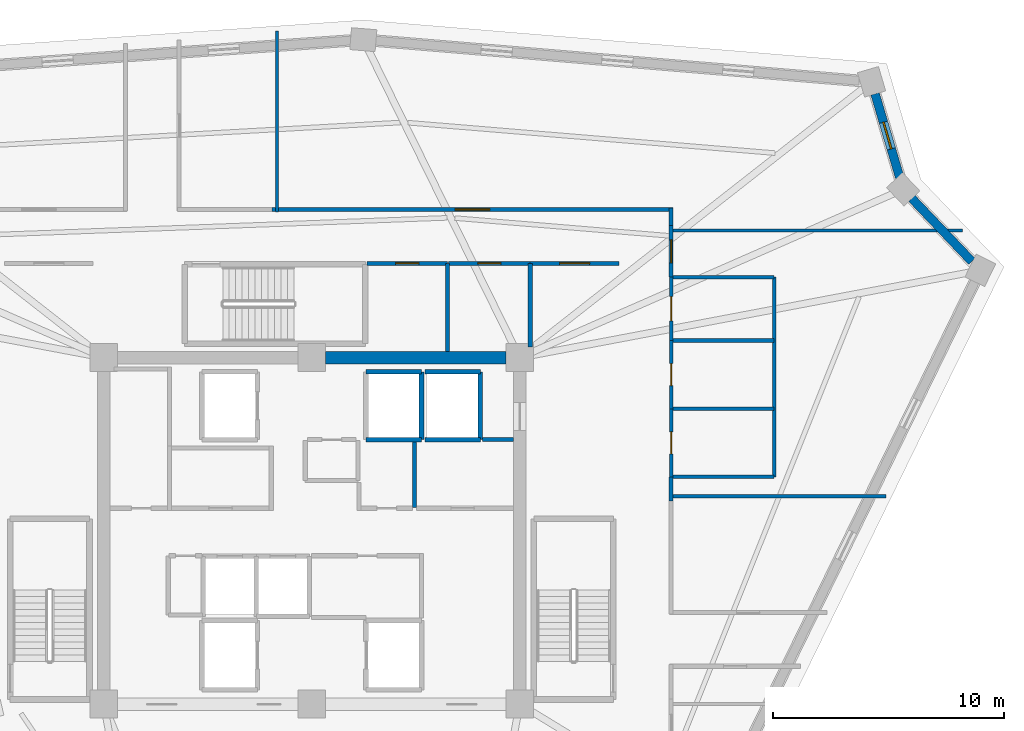
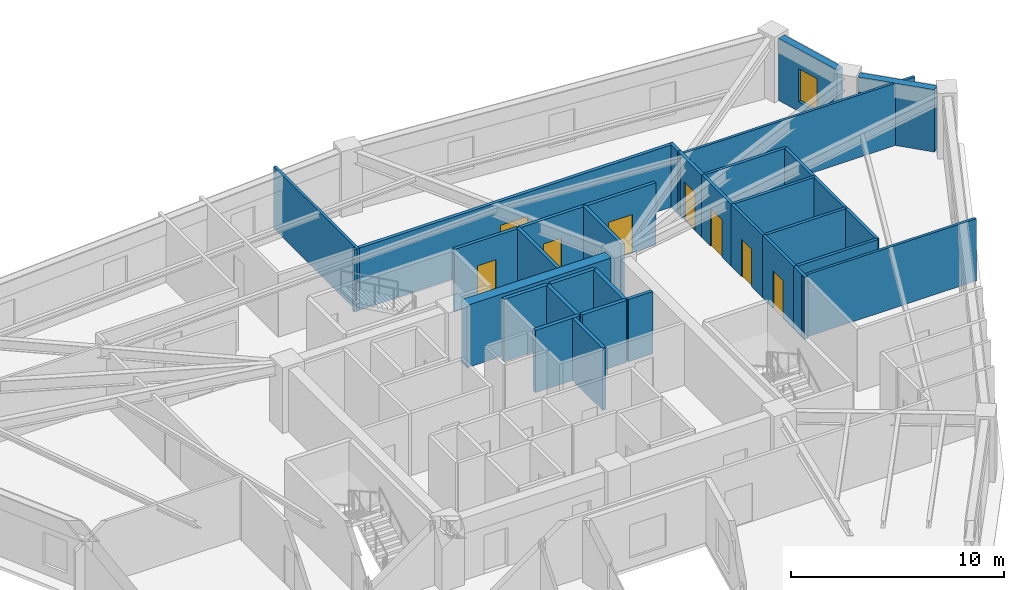
# One storey, part 6 of 8: 31 walls, 8 doors, 1 window, 9 openings.
"""IFC4 building model written with IfcOpenShell, lengths in metres."""

from ifc_helpers import new_model, si_unit, direction, frame, frame_2d, origin, place, context, subcontext, project, spatial, rectangle, extrude, source, transform, mapped, material, layer, layer_set, type_object, element, fill, save


model = new_model("IFC4")

# Units and contexts
model_context = context("Model", 3, precision=1e-05, world=origin(), true_north=direction((0.0, 1.0)))
body_context = subcontext(model_context, "Body", "Model", "MODEL_VIEW")
ifc_project = project(units=[si_unit("LENGTHUNIT", "METRE"), si_unit("AREAUNIT", "SQUARE_METRE"), si_unit("VOLUMEUNIT", "CUBIC_METRE"), si_unit("PLANEANGLEUNIT", "RADIAN"), si_unit("MASSUNIT", "GRAM", prefix="KILO")], contexts=[model_context])

# Site, building, storey
site_placement = place(None, origin())
site = spatial("IfcSite", under=ifc_project, at=site_placement, CompositionType="ELEMENT")
building_placement = place(site_placement, origin())
building = spatial("IfcBuilding", under=site, at=building_placement, Name="Liaohun Quay Tower", CompositionType="ELEMENT")
storey_placement = place(building_placement, frame((0.0, 0.0, 343.5)))
storey = spatial("IfcBuildingStorey", under=building, at=storey_placement, Name="L89", CompositionType="ELEMENT", Elevation=343.5)

# Walls
ifc_material_1 = material(Name="Concrete C50", Category="concrete")
ifc_layer_1 = layer(ifc_material_1, 0.550048828125, Name="Concrete C50", Category="concrete")
ifc_layer_set_1 = layer_set([ifc_layer_1], Name="Concrete C50")
wall_type_1 = type_object("IfcWallType", Name="WAL-COR-Z4", PredefinedType="SHEAR", material=ifc_layer_set_1)
wall_1_placement = place(storey_placement, frame((60.60009765625, 61.5, 0.0), z_axis=(0.0, 0.0, 1.0), x_axis=(1.0, 0.0, 0.0)))
element("IfcWall", 1, at=wall_1_placement, inside=storey, type_object=wall_type_1, Name="L89 Central Core Shear Wall N-E", PredefinedType="SHEAR", context=body_context, shape_type="SweptSolid", body=[
    extrude(rectangle(XDim=7.7998046875, YDim=0.550048828125, at=frame_2d((3.89990234375, 0.0))), origin(), (0.0, 0.0, 1.0), 3.570068359375),
])
ifc_material_2 = material(Name="Precast concrete C50 insulated sandwich", Category="concrete")
ifc_layer_2 = layer(ifc_material_2, 0.3798828125, Name="Precast concrete C50 insulated sandwich", Category="concrete")
ifc_layer_set_2 = layer_set([ifc_layer_2], Name="Precast concrete C50 insulated sandwich")
wall_type_2 = type_object("IfcWallType", Name="WAL-EXT-Z34", PredefinedType="SOLIDWALL", material=ifc_layer_set_2)
wall_2_placement = place(storey_placement, frame((88.573974609375, 65.6669921875, 0.0), z_axis=(0.0, 0.0, 1.0), x_axis=(-0.689475358223, 0.72430914008, 0.0)))
element("IfcWall", 2, at=wall_2_placement, inside=storey, type_object=wall_type_2, Name="L89 Brutalist Precast Pier Wall 04", PredefinedType="SOLIDWALL", context=body_context, shape_type="SweptSolid", body=[
    extrude(rectangle(XDim=3.763671875, YDim=0.3798828125, at=frame_2d((1.8818359375, 0.0))), origin(), (0.0, 0.0, 1.0), 3.570068359375),
])

# Wall, opening, window
wall_3_placement = place(storey_placement, frame((85.4541015625, 69.302001953125, 0.0), z_axis=(0.0, 0.0, 1.0), x_axis=(-0.282670922676, 0.95921694599, 0.0)))
wall_3 = element("IfcWall", 3, at=wall_3_placement, inside=storey, type_object=wall_type_2, Name="L89 Brutalist Precast Pier Wall 05", PredefinedType="SOLIDWALL", context=body_context, shape_type="SweptSolid", body=[
    extrude(rectangle(XDim=3.771728515625, YDim=0.3798828125, at=frame_2d((1.8857421875, 0.0))), origin(), (0.0, 0.0, 1.0), 3.570068359375),
])
shared_shape_1 = source(origin(), body_context, "Body", "SweptSolid", [
    extrude(rectangle(XDim=1.199951171875, YDim=1.89990234375, at=frame_2d((0.60009765625, 0.949951171875))), frame((0.0, 0.199951171875, 0.0), z_axis=(0.0, -1.0, 0.0), x_axis=(1.0, 0.0, 0.0)), (0.0, 0.0, 1.0), 0.39990234375),
])
opening_1_placement = place(wall_3_placement, frame((1.285888671875, 0.0, 0.550048828125)))
opening_1 = element("IfcOpeningElement", 4, at=opening_1_placement, cuts=wall_3, Name="Opening W05", PredefinedType="OPENING", context=body_context, shape_type="MappedRepresentation", body=[
    mapped(shared_shape_1, transform((0.0, 0.0, 0.0), x_axis=(1.0, 0.0, 0.0), y_axis=(0.0, 1.0, 0.0), z_axis=(0.0, 0.0, 1.0), scale=1.0)),
])
ifc_material_3 = material(Name="Triple Low-E corner notch glazing", Category="glass")
window_type = type_object("IfcWindowType", Name="WIN-NOTCH", PartitioningType="SINGLE_PANEL", PredefinedType="WINDOW", material=ifc_material_3)
shared_shape_2 = source(origin(), body_context, "Body", "SweptSolid", [
    extrude(rectangle(XDim=1.199951171875, YDim=1.89990234375, at=frame_2d((0.60009765625, 0.949951171875))), frame((0.0, 0.030029296875, 0.0), z_axis=(0.0, -1.0, 0.0), x_axis=(1.0, 0.0, 0.0)), (0.0, 0.0, 1.0), 0.06005859375),
])
window_placement = place(opening_1_placement, origin())
window = element("IfcWindow", 5, at=window_placement, inside=storey, type_object=window_type, Name="L89 Corner Notch Window W05-05", OverallHeight=1.89990234375, OverallWidth=1.199951171875, PartitioningType="SINGLE_PANEL", PredefinedType="WINDOW", context=body_context, shape_type="MappedRepresentation", body=[
    mapped(shared_shape_2, transform((0.0, 0.0, 0.0), x_axis=(1.0, 0.0, 0.0), y_axis=(0.0, 1.0, 0.0), z_axis=(0.0, 0.0, 1.0), scale=1.0)),
])
fill(opening_1, window)

# Wall, opening, door
ifc_material_4 = material(Name="Autoclaved aerated concrete blockwork", Category="masonry")
ifc_layer_3 = layer(ifc_material_4, 0.179931640625, Name="Autoclaved aerated concrete blockwork", Category="masonry")
ifc_layer_set_3 = layer_set([ifc_layer_3], Name="Autoclaved aerated concrete blockwork")
wall_type_3 = type_object("IfcWallType", Name="WAL-PRT-COR", PredefinedType="PARTITIONING", material=ifc_layer_set_3)
wall_4_placement = place(storey_placement, frame((62.389892578125, 65.580078125, 0.0), z_axis=(0.0, 0.0, 1.0), x_axis=(1.0, 0.0, 0.0)))
wall_4 = element("IfcWall", 6, at=wall_4_placement, inside=storey, type_object=wall_type_3, Name="L89 Interior Partition Wall 011", PredefinedType="PARTITIONING", context=body_context, shape_type="SweptSolid", body=[
    extrude(rectangle(XDim=3.489990234375, YDim=0.179931640625, at=frame_2d((1.7451171875, 0.0))), origin(), (0.0, 0.0, 1.0), 3.570068359375),
])
shared_shape_3 = source(origin(), body_context, "Body", "SweptSolid", [
    extrude(rectangle(XDim=1.0, YDim=2.199951171875, at=frame_2d((0.5, 1.10009765625))), frame((0.0, 0.099853515625, 0.0), z_axis=(0.0, -1.0, 0.0), x_axis=(1.0, 0.0, 0.0)), (0.0, 0.0, 1.0), 0.199951171875),
])
opening_2_placement = place(wall_4_placement, frame((1.2451171875, 0.0, 0.0)))
opening_2 = element("IfcOpeningElement", 7, at=opening_2_placement, cuts=wall_4, Name="Opening OD1", PredefinedType="OPENING", context=body_context, shape_type="MappedRepresentation", body=[
    mapped(shared_shape_3, transform((0.0, 0.0, 0.0), x_axis=(1.0, 0.0, 0.0), y_axis=(0.0, 1.0, 0.0), z_axis=(0.0, 0.0, 1.0), scale=1.0)),
])
ifc_material_5 = material(Name="Solid-core oak veneer timber leaf in steel frame", Category="steel")
door_type_1 = type_object("IfcDoorType", Name="DOR-OFF-1000", OperationType="NOTDEFINED", PredefinedType="DOOR", material=ifc_material_5)
shared_shape_4 = source(origin(), body_context, "Body", "SweptSolid", [
    extrude(rectangle(XDim=1.0, YDim=2.199951171875, at=frame_2d((0.5, 1.10009765625))), frame((0.0, 0.02490234375, 0.0), z_axis=(0.0, -1.0, 0.0), x_axis=(1.0, 0.0, 0.0)), (0.0, 0.0, 1.0), 0.050048828125),
])
door_1_placement = place(opening_2_placement, origin())
door_1 = element("IfcDoor", 8, at=door_1_placement, inside=storey, type_object=door_type_1, Name="L89 North-East Archive Store Door", OperationType="SINGLE_SWING_LEFT", OverallHeight=2.199951171875, OverallWidth=1.0, PredefinedType="DOOR", context=body_context, shape_type="MappedRepresentation", body=[
    mapped(shared_shape_4, transform((0.0, 0.0, 0.0), x_axis=(1.0, 0.0, 0.0), y_axis=(0.0, 1.0, 0.0), z_axis=(0.0, 0.0, 1.0), scale=1.0)),
])
fill(opening_2, door_1)

wall_5_placement = place(storey_placement, frame((65.919921875, 65.580078125, 0.0), z_axis=(0.0, 0.0, 1.0), x_axis=(1.0, 0.0, 0.0)))
wall_5 = element("IfcWall", 9, at=wall_5_placement, inside=storey, type_object=wall_type_3, Name="L89 Interior Partition Wall 012", PredefinedType="PARTITIONING", context=body_context, shape_type="SweptSolid", body=[
    extrude(rectangle(XDim=3.5400390625, YDim=0.179931640625, at=frame_2d((1.77001953125, 0.0))), origin(), (0.0, 0.0, 1.0), 3.570068359375),
])
opening_3_placement = place(wall_5_placement, frame((1.27001953125, 0.0, 0.0)))
opening_3 = element("IfcOpeningElement", 10, at=opening_3_placement, cuts=wall_5, Name="Opening OD1", PredefinedType="OPENING", context=body_context, shape_type="MappedRepresentation", body=[
    mapped(shared_shape_3, transform((0.0, 0.0, 0.0), x_axis=(1.0, 0.0, 0.0), y_axis=(0.0, 1.0, 0.0), z_axis=(0.0, 0.0, 1.0), scale=1.0)),
])
door_2_placement = place(opening_3_placement, origin())
door_2 = element("IfcDoor", 11, at=door_2_placement, inside=storey, type_object=door_type_1, Name="L89 North-East Pantry Room Door", OperationType="SINGLE_SWING_RIGHT", OverallHeight=2.199951171875, OverallWidth=1.0, PredefinedType="DOOR", context=body_context, shape_type="MappedRepresentation", body=[
    mapped(shared_shape_4, transform((0.0, 0.0, 0.0), x_axis=(1.0, 0.0, 0.0), y_axis=(0.0, 1.0, 0.0), z_axis=(0.0, 0.0, 1.0), scale=1.0)),
])
fill(opening_3, door_2)

wall_6_placement = place(storey_placement, frame((69.4599609375, 65.580078125, 0.0), z_axis=(0.0, 0.0, 1.0), x_axis=(1.0, 0.0, 0.0)))
wall_6 = element("IfcWall", 12, at=wall_6_placement, inside=storey, type_object=wall_type_3, Name="L89 Interior Partition Wall 014", PredefinedType="PARTITIONING", context=body_context, shape_type="SweptSolid", body=[
    extrude(rectangle(XDim=3.840087890625, YDim=0.179931640625, at=frame_2d((1.919921875, 0.0))), origin(), (0.0, 0.0, 1.0), 3.570068359375),
])
shared_shape_5 = source(origin(), body_context, "Body", "SweptSolid", [
    extrude(rectangle(XDim=1.300048828125, YDim=2.199951171875, at=frame_2d((0.64990234375, 1.10009765625))), frame((0.0, 0.099853515625, 0.0), z_axis=(0.0, -1.0, 0.0), x_axis=(1.0, 0.0, 0.0)), (0.0, 0.0, 1.0), 0.199951171875),
])
opening_4_placement = place(wall_6_placement, frame((1.27001953125, 0.0, 0.0)))
opening_4 = element("IfcOpeningElement", 13, at=opening_4_placement, cuts=wall_6, Name="Opening FD1", PredefinedType="OPENING", context=body_context, shape_type="MappedRepresentation", body=[
    mapped(shared_shape_5, transform((0.0, 0.0, 0.0), x_axis=(1.0, 0.0, 0.0), y_axis=(0.0, 1.0, 0.0), z_axis=(0.0, 0.0, 1.0), scale=1.0)),
])
ifc_material_6 = material(Name="Galvanised steel smokeproof fire door", Category="steel")
door_type_2 = type_object("IfcDoorType", Name="DOR-FFL-1300", OperationType="NOTDEFINED", PredefinedType="DOOR", material=ifc_material_6)
shared_shape_6 = source(origin(), body_context, "Body", "SweptSolid", [
    extrude(rectangle(XDim=1.300048828125, YDim=2.199951171875, at=frame_2d((0.64990234375, 1.10009765625))), frame((0.0, 0.02490234375, 0.0), z_axis=(0.0, -1.0, 0.0), x_axis=(1.0, 0.0, 0.0)), (0.0, 0.0, 1.0), 0.050048828125),
])
door_3_placement = place(opening_4_placement, origin())
door_3 = element("IfcDoor", 14, at=door_3_placement, inside=storey, type_object=door_type_2, Name="L89 East Core Vestibule Door", OperationType="SINGLE_SWING_RIGHT", OverallHeight=2.199951171875, OverallWidth=1.300048828125, PredefinedType="DOOR", context=body_context, shape_type="MappedRepresentation", body=[
    mapped(shared_shape_6, transform((0.0, 0.0, 0.0), x_axis=(1.0, 0.0, 0.0), y_axis=(0.0, 1.0, 0.0), z_axis=(0.0, 0.0, 1.0), scale=1.0)),
])
fill(opening_4, door_3)

wall_7_placement = place(storey_placement, frame((75.56005859375, 67.215087890625, 0.0), z_axis=(0.0, 0.0, 1.0), x_axis=(0.0, -1.0, 0.0)))
wall_7 = element("IfcWall", 15, at=wall_7_placement, inside=storey, type_object=wall_type_3, Name="L89 Interior Partition Wall 015", PredefinedType="PARTITIONING", context=body_context, shape_type="SweptSolid", body=[
    extrude(rectangle(XDim=2.235107421875, YDim=0.179931640625, at=frame_2d((1.11767578125, 0.0))), origin(), (0.0, 0.0, 1.0), 3.570068359375),
])
opening_5_placement = place(wall_7_placement, frame((0.616943359375, 0.0, 0.0)))
opening_5 = element("IfcOpeningElement", 16, at=opening_5_placement, cuts=wall_7, Name="Opening OD1", PredefinedType="OPENING", context=body_context, shape_type="MappedRepresentation", body=[
    mapped(shared_shape_3, transform((0.0, 0.0, 0.0), x_axis=(1.0, 0.0, 0.0), y_axis=(0.0, 1.0, 0.0), z_axis=(0.0, 0.0, 1.0), scale=1.0)),
])
door_4_placement = place(opening_5_placement, origin())
door_4 = element("IfcDoor", 17, at=door_4_placement, inside=storey, type_object=door_type_1, Name="L89 Client Collaboration Lounge 01 Door", OperationType="SINGLE_SWING_LEFT", OverallHeight=2.199951171875, OverallWidth=1.0, PredefinedType="DOOR", context=body_context, shape_type="MappedRepresentation", body=[
    mapped(shared_shape_4, transform((0.0, 0.0, 0.0), x_axis=(1.0, 0.0, 0.0), y_axis=(0.0, 1.0, 0.0), z_axis=(0.0, 0.0, 1.0), scale=1.0)),
])
fill(opening_5, door_4)

wall_8_placement = place(storey_placement, frame((58.284912109375, 67.909912109375, 0.0), z_axis=(0.0, 0.0, 1.0), x_axis=(1.0, 0.0, 0.0)))
wall_8 = element("IfcWall", 18, at=wall_8_placement, inside=storey, type_object=wall_type_3, Name="L89 Interior Partition Wall 016", PredefinedType="PARTITIONING", context=body_context, shape_type="SweptSolid", body=[
    extrude(rectangle(XDim=17.344970703125, YDim=0.179931640625, at=frame_2d((8.67236328125, 0.0))), origin(), (0.0, 0.0, 1.0), 3.570068359375),
])
shared_shape_7 = source(origin(), body_context, "Body", "SweptSolid", [
    extrude(rectangle(XDim=1.5, YDim=2.199951171875, at=frame_2d((0.75, 1.10009765625))), frame((0.0, 0.099853515625, 0.0), z_axis=(0.0, -1.0, 0.0), x_axis=(1.0, 0.0, 0.0)), (0.0, 0.0, 1.0), 0.199951171875),
])
opening_6_placement = place(wall_8_placement, frame((7.922119140625, 0.0, 0.0)))
opening_6 = element("IfcOpeningElement", 19, at=opening_6_placement, cuts=wall_8, Name="Opening OD2", PredefinedType="OPENING", context=body_context, shape_type="MappedRepresentation", body=[
    mapped(shared_shape_7, transform((0.0, 0.0, 0.0), x_axis=(1.0, 0.0, 0.0), y_axis=(0.0, 1.0, 0.0), z_axis=(0.0, 0.0, 1.0), scale=1.0)),
])
ifc_material_7 = material(Name="Acoustic oak veneer double door")
door_type_3 = type_object("IfcDoorType", Name="DOR-OFF-1500", OperationType="DOUBLE_DOOR_SINGLE_SWING", PredefinedType="DOOR", material=ifc_material_7)
shared_shape_8 = source(origin(), body_context, "Body", "SweptSolid", [
    extrude(rectangle(XDim=1.5, YDim=2.199951171875, at=frame_2d((0.75, 1.10009765625))), frame((0.0, 0.02490234375, 0.0), z_axis=(0.0, -1.0, 0.0), x_axis=(1.0, 0.0, 0.0)), (0.0, 0.0, 1.0), 0.050048828125),
])
door_5_placement = place(opening_6_placement, origin())
door_5 = element("IfcDoor", 20, at=door_5_placement, inside=storey, type_object=door_type_3, Name="L89 Corporate Exhibition Gallery 02 Door", OperationType="DOUBLE_DOOR_SINGLE_SWING", OverallHeight=2.199951171875, OverallWidth=1.5, PredefinedType="DOOR", context=body_context, shape_type="MappedRepresentation", body=[
    mapped(shared_shape_8, transform((0.0, 0.0, 0.0), x_axis=(1.0, 0.0, 0.0), y_axis=(0.0, 1.0, 0.0), z_axis=(0.0, 0.0, 1.0), scale=1.0)),
])
fill(opening_6, door_5)

# Walls
wall_9_placement = place(storey_placement, frame((64.449951171875, 55.02001953125, 0.0), z_axis=(0.0, 0.0, 1.0), x_axis=(0.0, 1.0, 0.0)))
element("IfcWall", 21, at=wall_9_placement, inside=storey, type_object=wall_type_3, Name="L89 Interior Partition Wall 026", PredefinedType="PARTITIONING", context=body_context, shape_type="SweptSolid", body=[
    extrude(rectangle(XDim=2.85986328125, YDim=0.179931640625, at=frame_2d((1.429931640625, 0.0))), origin(), (0.0, 0.0, 1.0), 3.570068359375),
])
wall_10_placement = place(storey_placement, frame((65.8798828125, 61.77490234375, 0.0), z_axis=(0.0, 0.0, 1.0), x_axis=(0.0, 1.0, 0.0)))
element("IfcWall", 22, at=wall_10_placement, inside=storey, type_object=wall_type_3, Name="L89 Interior Partition Wall 037", PredefinedType="PARTITIONING", context=body_context, shape_type="SweptSolid", body=[
    extrude(rectangle(XDim=3.80517578125, YDim=0.179931640625, at=frame_2d((1.902587890625, 0.0))), origin(), (0.0, 0.0, 1.0), 3.570068359375),
])
wall_11_placement = place(storey_placement, frame((69.4599609375, 61.949951171875, 0.0), z_axis=(0.0, 0.0, 1.0), x_axis=(0.0, 1.0, 0.0)))
element("IfcWall", 23, at=wall_11_placement, inside=storey, type_object=wall_type_3, Name="L89 Interior Partition Wall 038", PredefinedType="PARTITIONING", context=body_context, shape_type="SweptSolid", body=[
    extrude(rectangle(XDim=3.630126953125, YDim=0.179931640625, at=frame_2d((1.81494140625, 0.0))), origin(), (0.0, 0.0, 1.0), 3.570068359375),
])
wall_12_placement = place(storey_placement, frame((75.56005859375, 56.340087890625, 0.0), z_axis=(0.0, 0.0, 1.0), x_axis=(0.0, -1.0, 0.0)))
element("IfcWall", 24, at=wall_12_placement, inside=storey, type_object=wall_type_3, Name="L89 Interior Partition Wall 039", PredefinedType="PARTITIONING", context=body_context, shape_type="SweptSolid", body=[
    extrude(rectangle(XDim=1.05517578125, YDim=0.179931640625, at=frame_2d((0.527587890625, 0.0))), origin(), (0.0, 0.0, 1.0), 3.570068359375),
])
wall_13_placement = place(storey_placement, frame((75.56005859375, 67.97998046875, 0.0), z_axis=(0.0, 0.0, 1.0), x_axis=(0.0, -1.0, 0.0)))
element("IfcWall", 25, at=wall_13_placement, inside=storey, type_object=wall_type_3, Name="L89 Interior Partition Wall 040", PredefinedType="PARTITIONING", context=body_context, shape_type="SweptSolid", body=[
    extrude(rectangle(XDim=0.764892578125, YDim=0.179931640625, at=frame_2d((0.38232421875, 0.0))), origin(), (0.0, 0.0, 1.0), 3.570068359375),
])
wall_14_placement = place(storey_placement, frame((67.39990234375, 57.949951171875, 0.0), z_axis=(0.0, 0.0, 1.0), x_axis=(1.0, 0.0, 0.0)))
element("IfcWall", 26, at=wall_14_placement, inside=storey, type_object=wall_type_3, Name="L89 Interior Partition Wall 066", PredefinedType="PARTITIONING", context=body_context, shape_type="SweptSolid", body=[
    extrude(rectangle(XDim=1.3251953125, YDim=0.179931640625, at=frame_2d((0.66259765625, 0.0))), origin(), (0.0, 0.0, 1.0), 3.570068359375),
])
ifc_material_8 = material(Name="Gypsum board on twin steel studs", Category="steel")
ifc_layer_4 = layer(ifc_material_8, 0.139892578125, Name="Gypsum board on twin steel studs", Category="steel")
ifc_layer_set_4 = layer_set([ifc_layer_4], Name="Gypsum board on twin steel studs")
wall_type_4 = type_object("IfcWallType", Name="WAL-PRT-OFF", PredefinedType="PARTITIONING", material=ifc_layer_set_4)
wall_15_placement = place(storey_placement, frame((75.4599609375, 55.5, 0.0), z_axis=(0.0, 0.0, 1.0), x_axis=(1.0, 0.0, 0.0)))
element("IfcWall", 27, at=wall_15_placement, inside=storey, type_object=wall_type_4, Name="L89 Interior Partition Wall 054", PredefinedType="PARTITIONING", context=body_context, shape_type="SweptSolid", body=[
    extrude(rectangle(XDim=9.41015625, YDim=0.139892578125, at=frame_2d((4.705078125, 0.0))), origin(), (0.0, 0.0, 1.0), 3.570068359375),
])
wall_16_placement = place(storey_placement, frame((75.4599609375, 67.0, 0.0), z_axis=(0.0, 0.0, 1.0), x_axis=(1.0, 0.0, 0.0)))
element("IfcWall", 28, at=wall_16_placement, inside=storey, type_object=wall_type_4, Name="L89 Interior Partition Wall 055", PredefinedType="PARTITIONING", context=body_context, shape_type="SweptSolid", body=[
    extrude(rectangle(XDim=12.715087890625, YDim=0.139892578125, at=frame_2d((6.357421875, 0.0))), origin(), (0.0, 0.0, 1.0), 3.570068359375),
])
wall_17_placement = place(storey_placement, frame((58.5, 67.81005859375, 0.0), z_axis=(0.0, 0.0, 1.0), x_axis=(0.0, 1.0, 0.0)))
element("IfcWall", 29, at=wall_17_placement, inside=storey, type_object=wall_type_4, Name="L89 Interior Partition Wall 056", PredefinedType="PARTITIONING", context=body_context, shape_type="SweptSolid", body=[
    extrude(rectangle(XDim=7.825927734375, YDim=0.139892578125, at=frame_2d((3.9130859375, 0.0))), origin(), (0.0, 0.0, 1.0), 3.570068359375),
])

# Wall, opening, door
ifc_material_9 = material(Name="Moisture-resistant masonry blockwork", Category="masonry")
ifc_layer_5 = layer(ifc_material_9, 0.159912109375, Name="Moisture-resistant masonry blockwork", Category="masonry")
ifc_layer_set_5 = layer_set([ifc_layer_5], Name="Moisture-resistant masonry blockwork")
wall_type_5 = type_object("IfcWallType", Name="WAL-PRT-WET", PredefinedType="PARTITIONING", material=ifc_layer_set_5)
wall_18_placement = place(storey_placement, frame((75.56005859375, 56.340087890625, 0.0), z_axis=(0.0, 0.0, 1.0), x_axis=(0.0, 1.0, 0.0)))
wall_18 = element("IfcWall", 30, at=wall_18_placement, inside=storey, type_object=wall_type_5, Name="L89 Interior Partition Wall 008", PredefinedType="PARTITIONING", context=body_context, shape_type="SweptSolid", body=[
    extrude(rectangle(XDim=2.93994140625, YDim=0.159912109375, at=frame_2d((1.469970703125, 0.0))), origin(), (0.0, 0.0, 1.0), 3.570068359375),
])
shared_shape_9 = source(origin(), body_context, "Body", "SweptSolid", [
    extrude(rectangle(XDim=0.949951171875, YDim=2.14990234375, at=frame_2d((0.47509765625, 1.074951171875))), frame((0.0, 0.08984375, 0.0), z_axis=(0.0, -1.0, 0.0), x_axis=(1.0, 0.0, 0.0)), (0.0, 0.0, 1.0), 0.179931640625),
])
opening_7_placement = place(wall_18_placement, frame((0.9951171875, 0.0, 0.0)))
opening_7 = element("IfcOpeningElement", 31, at=opening_7_placement, cuts=wall_18, Name="Opening WD1", PredefinedType="OPENING", context=body_context, shape_type="MappedRepresentation", body=[
    mapped(shared_shape_9, transform((0.0, 0.0, 0.0), x_axis=(1.0, 0.0, 0.0), y_axis=(0.0, 1.0, 0.0), z_axis=(0.0, 0.0, 1.0), scale=1.0)),
])
ifc_material_10 = material(Name="Moisture-resistant laminate timber leaf", Category="wood")
door_type_4 = type_object("IfcDoorType", Name="DOR-WC-950", OperationType="NOTDEFINED", PredefinedType="DOOR", material=ifc_material_10)
shared_shape_10 = source(origin(), body_context, "Body", "SweptSolid", [
    extrude(rectangle(XDim=0.949951171875, YDim=2.14990234375, at=frame_2d((0.47509765625, 1.074951171875))), frame((0.0, 0.02490234375, 0.0), z_axis=(0.0, -1.0, 0.0), x_axis=(1.0, 0.0, 0.0)), (0.0, 0.0, 1.0), 0.050048828125),
])
door_6_placement = place(opening_7_placement, origin())
door_6 = element("IfcDoor", 32, at=door_6_placement, inside=storey, type_object=door_type_4, Name="L89 Male Restroom WC Door", OperationType="SINGLE_SWING_RIGHT", OverallHeight=2.14990234375, OverallWidth=0.949951171875, PredefinedType="DOOR", context=body_context, shape_type="MappedRepresentation", body=[
    mapped(shared_shape_10, transform((0.0, 0.0, 0.0), x_axis=(1.0, 0.0, 0.0), y_axis=(0.0, 1.0, 0.0), z_axis=(0.0, 0.0, 1.0), scale=1.0)),
])
fill(opening_7, door_6)

wall_19_placement = place(storey_placement, frame((75.56005859375, 59.280029296875, 0.0), z_axis=(0.0, 0.0, 1.0), x_axis=(0.0, 1.0, 0.0)))
wall_19 = element("IfcWall", 33, at=wall_19_placement, inside=storey, type_object=wall_type_5, Name="L89 Interior Partition Wall 009", PredefinedType="PARTITIONING", context=body_context, shape_type="SweptSolid", body=[
    extrude(rectangle(XDim=2.9599609375, YDim=0.159912109375, at=frame_2d((1.47998046875, 0.0))), origin(), (0.0, 0.0, 1.0), 3.570068359375),
])
opening_8_placement = place(wall_19_placement, frame((1.0048828125, 0.0, 0.0)))
opening_8 = element("IfcOpeningElement", 34, at=opening_8_placement, cuts=wall_19, Name="Opening WD1", PredefinedType="OPENING", context=body_context, shape_type="MappedRepresentation", body=[
    mapped(shared_shape_9, transform((0.0, 0.0, 0.0), x_axis=(1.0, 0.0, 0.0), y_axis=(0.0, 1.0, 0.0), z_axis=(0.0, 0.0, 1.0), scale=1.0)),
])
door_7_placement = place(opening_8_placement, origin())
door_7 = element("IfcDoor", 35, at=door_7_placement, inside=storey, type_object=door_type_4, Name="L89 Female Restroom WC Door", OperationType="SINGLE_SWING_LEFT", OverallHeight=2.14990234375, OverallWidth=0.949951171875, PredefinedType="DOOR", context=body_context, shape_type="MappedRepresentation", body=[
    mapped(shared_shape_10, transform((0.0, 0.0, 0.0), x_axis=(1.0, 0.0, 0.0), y_axis=(0.0, 1.0, 0.0), z_axis=(0.0, 0.0, 1.0), scale=1.0)),
])
fill(opening_8, door_7)

wall_20_placement = place(storey_placement, frame((75.56005859375, 62.239990234375, 0.0), z_axis=(0.0, 0.0, 1.0), x_axis=(0.0, 1.0, 0.0)))
wall_20 = element("IfcWall", 36, at=wall_20_placement, inside=storey, type_object=wall_type_5, Name="L89 Interior Partition Wall 010", PredefinedType="PARTITIONING", context=body_context, shape_type="SweptSolid", body=[
    extrude(rectangle(XDim=2.739990234375, YDim=0.159912109375, at=frame_2d((1.3701171875, 0.0))), origin(), (0.0, 0.0, 1.0), 3.570068359375),
])
shared_shape_11 = source(origin(), body_context, "Body", "SweptSolid", [
    extrude(rectangle(XDim=1.050048828125, YDim=2.14990234375, at=frame_2d((0.52490234375, 1.074951171875))), frame((0.0, 0.08984375, 0.0), z_axis=(0.0, -1.0, 0.0), x_axis=(1.0, 0.0, 0.0)), (0.0, 0.0, 1.0), 0.179931640625),
])
opening_9_placement = place(wall_20_placement, frame((0.844970703125, 0.0, 0.0)))
opening_9 = element("IfcOpeningElement", 37, at=opening_9_placement, cuts=wall_20, Name="Opening WD2", PredefinedType="OPENING", context=body_context, shape_type="MappedRepresentation", body=[
    mapped(shared_shape_11, transform((0.0, 0.0, 0.0), x_axis=(1.0, 0.0, 0.0), y_axis=(0.0, 1.0, 0.0), z_axis=(0.0, 0.0, 1.0), scale=1.0)),
])
ifc_material_11 = material(Name="Accessible outward-swinging laminate door")
door_type_5 = type_object("IfcDoorType", Name="DOR-AWC-1050", OperationType="NOTDEFINED", PredefinedType="DOOR", material=ifc_material_11)
shared_shape_12 = source(origin(), body_context, "Body", "SweptSolid", [
    extrude(rectangle(XDim=1.050048828125, YDim=2.14990234375, at=frame_2d((0.52490234375, 1.074951171875))), frame((0.0, 0.02490234375, 0.0), z_axis=(0.0, -1.0, 0.0), x_axis=(1.0, 0.0, 0.0)), (0.0, 0.0, 1.0), 0.050048828125),
])
door_8_placement = place(opening_9_placement, origin())
door_8 = element("IfcDoor", 38, at=door_8_placement, inside=storey, type_object=door_type_5, Name="L89 Accessible WC Door", OperationType="SINGLE_SWING_RIGHT", OverallHeight=2.14990234375, OverallWidth=1.050048828125, PredefinedType="DOOR", context=body_context, shape_type="MappedRepresentation", body=[
    mapped(shared_shape_12, transform((0.0, 0.0, 0.0), x_axis=(1.0, 0.0, 0.0), y_axis=(0.0, 1.0, 0.0), z_axis=(0.0, 0.0, 1.0), scale=1.0)),
])
fill(opening_9, door_8)

# Walls
wall_21_placement = place(storey_placement, frame((80.02001953125, 56.340087890625, 0.0), z_axis=(0.0, 0.0, 1.0), x_axis=(0.0, 1.0, 0.0)))
element("IfcWall", 39, at=wall_21_placement, inside=storey, type_object=wall_type_5, Name="L89 Interior Partition Wall 032", PredefinedType="PARTITIONING", context=body_context, shape_type="SweptSolid", body=[
    extrude(rectangle(XDim=8.639892578125, YDim=0.159912109375, at=frame_2d((4.31982421875, 0.0))), origin(), (0.0, 0.0, 1.0), 3.570068359375),
])
for number, where, z_axis, x_axis, name in (
    (40, (75.56005859375, 56.340087890625, 0.0), (0.0, 0.0, 1.0), (1.0, 0.0, 0.0), "L89 Interior Partition Wall 033"),
    (41, (75.56005859375, 59.280029296875, 0.0), (0.0, 0.0, 1.0), (1.0, 0.0, 0.0), "L89 Interior Partition Wall 034"),
    (42, (75.56005859375, 62.239990234375, 0.0), (0.0, 0.0, 1.0), (1.0, 0.0, 0.0), "L89 Interior Partition Wall 035"),
    (43, (75.56005859375, 64.97998046875, 0.0), (0.0, 0.0, 1.0), (1.0, 0.0, 0.0), "L89 Interior Partition Wall 036"),
):
    element("IfcWall", number, at=place(storey_placement, frame(where, z_axis=z_axis, x_axis=x_axis)), inside=storey, type_object=wall_type_5, Name=name, PredefinedType="PARTITIONING", context=body_context, shape_type="SweptSolid", body=[
        extrude(rectangle(XDim=4.4599609375, YDim=0.159912109375, at=frame_2d((2.22998046875, 0.0))), origin(), (0.0, 0.0, 1.0), 3.570068359375),
    ])
ifc_layer_6 = layer(ifc_material_1, 0.239990234375, Name="Concrete C50", Category="concrete")
ifc_layer_set_6 = layer_set([ifc_layer_6], Name="Concrete C50")
wall_type_6 = type_object("IfcWallType", Name="WAL-SHF-200", PredefinedType="SOLIDWALL", material=ifc_layer_set_6)
wall_22_placement = place(storey_placement, frame((62.35009765625, 57.949951171875, 0.0), z_axis=(0.0, 0.0, 1.0), x_axis=(1.0, 0.0, 0.0)))
element("IfcWall", 44, at=wall_22_placement, inside=storey, type_object=wall_type_6, Name="L89 Lift OB-01 Hoistway Wall S", PredefinedType="SOLIDWALL", context=body_context, shape_type="SweptSolid", body=[
    extrude(rectangle(XDim=2.39990234375, YDim=0.199951171875, at=frame_2d((1.199951171875, 0.0))), origin(), (0.0, 0.0, 1.0), 3.570068359375),
])
wall_23_placement = place(storey_placement, frame((64.75, 57.949951171875, 0.0), z_axis=(0.0, 0.0, 1.0), x_axis=(0.0, 1.0, 0.0)))
element("IfcWall", 45, at=wall_23_placement, inside=storey, type_object=wall_type_6, Name="L89 Lift OB-01 Hoistway Wall E", PredefinedType="SOLIDWALL", context=body_context, shape_type="SweptSolid", body=[
    extrude(rectangle(XDim=2.929931640625, YDim=0.199951171875, at=frame_2d((1.46484375, 0.0))), origin(), (0.0, 0.0, 1.0), 3.570068359375),
])
wall_24_placement = place(storey_placement, frame((64.75, 60.8798828125, 0.0), z_axis=(0.0, 0.0, 1.0), x_axis=(-1.0, 0.0, 0.0)))
element("IfcWall", 46, at=wall_24_placement, inside=storey, type_object=wall_type_6, Name="L89 Lift OB-01 Hoistway Wall N", PredefinedType="SOLIDWALL", context=body_context, shape_type="SweptSolid", body=[
    extrude(rectangle(XDim=2.39990234375, YDim=0.199951171875, at=frame_2d((1.199951171875, 0.0))), origin(), (0.0, 0.0, 1.0), 3.570068359375),
])
wall_25_placement = place(storey_placement, frame((64.89990234375, 57.949951171875, 0.0), z_axis=(0.0, 0.0, 1.0), x_axis=(1.0, 0.0, 0.0)))
element("IfcWall", 47, at=wall_25_placement, inside=storey, type_object=wall_type_6, Name="L89 Lift OB-02 Hoistway Wall S", PredefinedType="SOLIDWALL", context=body_context, shape_type="SweptSolid", body=[
    extrude(rectangle(XDim=2.400146484375, YDim=0.199951171875, at=frame_2d((1.2001953125, 0.0))), origin(), (0.0, 0.0, 1.0), 3.570068359375),
])
wall_26_placement = place(storey_placement, frame((67.300048828125, 57.949951171875, 0.0), z_axis=(0.0, 0.0, 1.0), x_axis=(0.0, 1.0, 0.0)))
element("IfcWall", 48, at=wall_26_placement, inside=storey, type_object=wall_type_6, Name="L89 Lift OB-02 Hoistway Wall E", PredefinedType="SOLIDWALL", context=body_context, shape_type="SweptSolid", body=[
    extrude(rectangle(XDim=2.929931640625, YDim=0.199951171875, at=frame_2d((1.46484375, 0.0))), origin(), (0.0, 0.0, 1.0), 3.570068359375),
])
wall_27_placement = place(storey_placement, frame((67.300048828125, 60.8798828125, 0.0), z_axis=(0.0, 0.0, 1.0), x_axis=(-1.0, 0.0, 0.0)))
element("IfcWall", 49, at=wall_27_placement, inside=storey, type_object=wall_type_6, Name="L89 Lift OB-02 Hoistway Wall N", PredefinedType="SOLIDWALL", context=body_context, shape_type="SweptSolid", body=[
    extrude(rectangle(XDim=2.400146484375, YDim=0.199951171875, at=frame_2d((1.2001953125, 0.0))), origin(), (0.0, 0.0, 1.0), 3.570068359375),
])

save(model, "model.ifc")
